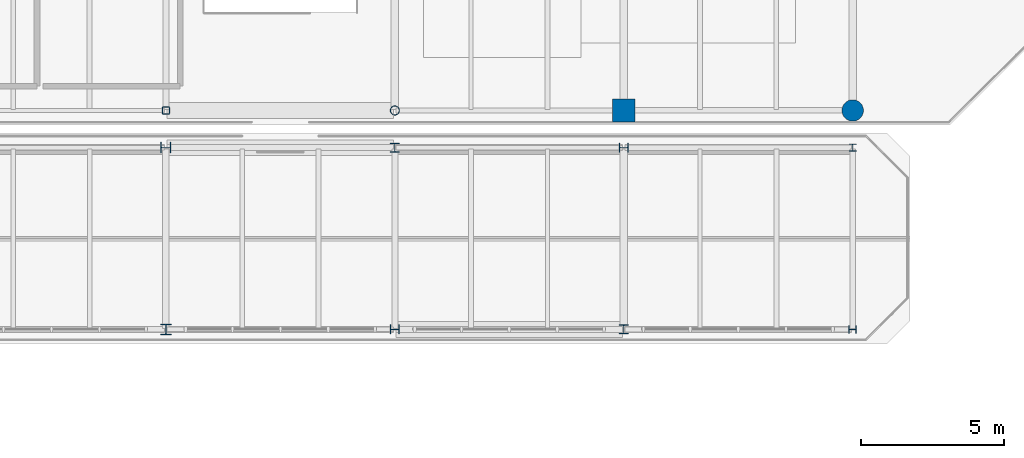
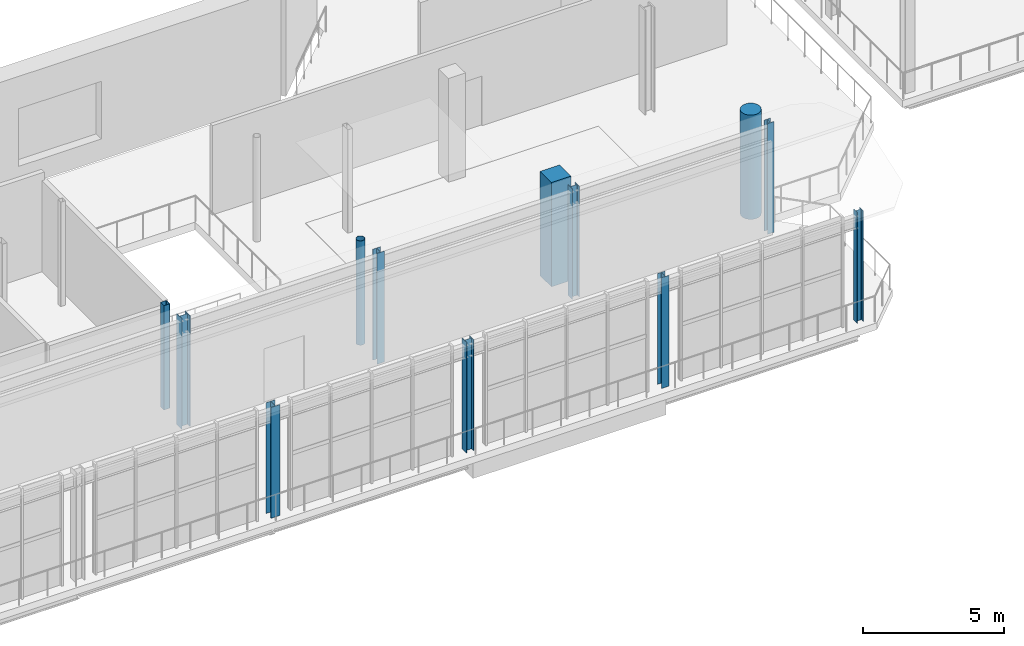
# One storey, part 10 of 93: 12 columns.
"""IFC4 building model written with IfcOpenShell, lengths in metres."""

from ifc_helpers import new_model, si_unit, direction, frame, origin, origin_2d, place, context, subcontext, project, spatial, rectangle, hollow_rectangle, circle, hollow_circle, i_section, extrude, material, material_profile, profile_set, type_object, element, save


model = new_model("IFC4")

# Units and contexts
model_context = context("Model", 3, precision=1e-05, world=origin(), true_north=direction((0.0, 1.0)))
body_context = subcontext(model_context, "Body", "Model", "MODEL_VIEW")
ifc_project = project(units=[si_unit("LENGTHUNIT", "METRE"), si_unit("AREAUNIT", "SQUARE_METRE"), si_unit("VOLUMEUNIT", "CUBIC_METRE"), si_unit("PLANEANGLEUNIT", "RADIAN"), si_unit("MASSUNIT", "GRAM", prefix="KILO")], contexts=[model_context])

# Site, building, storey
site_placement = place(None, origin())
site = spatial("IfcSite", under=ifc_project, at=site_placement, CompositionType="ELEMENT")
building_placement = place(site_placement, origin())
building = spatial("IfcBuilding", under=site, at=building_placement, Name="Brisemont Oceanarium", CompositionType="ELEMENT")
storey_placement = place(building_placement, frame((0.0, 0.0, 5.39990234375)))
storey = spatial("IfcBuildingStorey", under=building, at=storey_placement, Name="L01", CompositionType="ELEMENT", Elevation=5.39990234375)

# Columns
ifc_material_1 = material(Name="Structural Steel ASTM A500 Gr.C", Category="steel")
ifc_material_profile_1 = material_profile(ifc_material_1, hollow_circle(Radius=0.162109375, WallThickness=0.01171875, at=origin_2d()), Name="HSS12.750X0.500")
ifc_profile_set_1 = profile_set([ifc_material_profile_1], Name="Structural Steel ASTM A500 Gr.C")
column_type_1 = type_object("IfcColumnType", Name="COL-CHS12", PredefinedType="COLUMN", material=ifc_profile_set_1)
column_1_placement = place(storey_placement, frame((88.0, 32.64990234375, 0.0), z_axis=(0.0, 0.0, 1.0), x_axis=(1.0, 0.0, 0.0)))
element("IfcColumn", 1, at=column_1_placement, inside=storey, type_object=column_type_1, Name="V1 L01 column (4,0)", PredefinedType="COLUMN", context=body_context, shape_type="SweptSolid", body=[
    extrude(hollow_circle(Radius=0.162109375, WallThickness=0.01171875, at=origin_2d()), origin(), (0.0, 0.0, 1.0), 4.52001953125),
])
ifc_material_2 = material(Name="Structural Steel ASTM A500 Gr.C", Category="steel")
ifc_material_profile_2 = material_profile(ifc_material_2, hollow_rectangle(XDim=0.25390625, YDim=0.25390625, WallThickness=0.01171875, InnerFilletRadius=0.01220703125, OuterFilletRadius=0.02392578125, at=origin_2d()), Name="HSS10X10X1/2")
ifc_profile_set_2 = profile_set([ifc_material_profile_2], Name="Structural Steel ASTM A500 Gr.C")
column_type_2 = type_object("IfcColumnType", Name="COL-HSS10X10", PredefinedType="COLUMN", material=ifc_profile_set_2)
column_2_placement = place(storey_placement, frame((80.0, 32.64990234375, 0.0), z_axis=(0.0, 0.0, 1.0), x_axis=(0.0, 1.0, 0.0)))
element("IfcColumn", 2, at=column_2_placement, inside=storey, type_object=column_type_2, Name="V1 L01 column (3,0)", PredefinedType="COLUMN", context=body_context, shape_type="SweptSolid", body=[
    extrude(hollow_rectangle(XDim=0.25390625, YDim=0.25390625, WallThickness=0.01171875, InnerFilletRadius=0.01220703125, OuterFilletRadius=0.02392578125, at=origin_2d()), origin(), (0.0, 0.0, 1.0), 4.52001953125),
])
ifc_material_3 = material(Name="Concrete C40/50", Category="concrete")
ifc_material_profile_3 = material_profile(ifc_material_3, rectangle(XDim=0.800048828125, YDim=0.800048828125, at=origin_2d()), Name="RC-COL-800X800")
ifc_profile_set_3 = profile_set([ifc_material_profile_3], Name="Concrete C40/50")
column_type_3 = type_object("IfcColumnType", Name="COL-RC800", PredefinedType="COLUMN", material=ifc_profile_set_3)
column_3_placement = place(storey_placement, frame((96.0, 32.64990234375, 0.0), z_axis=(0.0, 0.0, 1.0), x_axis=(0.0, 1.0, 0.0)))
element("IfcColumn", 3, at=column_3_placement, inside=storey, type_object=column_type_3, Name="V1 L01 column (5,0)", PredefinedType="COLUMN", context=body_context, shape_type="SweptSolid", body=[
    extrude(rectangle(XDim=0.800048828125, YDim=0.800048828125, at=origin_2d()), origin(), (0.0, 0.0, 1.0), 4.52001953125),
])
ifc_material_4 = material(Name="Concrete C40/50", Category="concrete")
ifc_material_profile_4 = material_profile(ifc_material_4, circle(Radius=0.375, at=origin_2d()), Name="RC-COL-D750")
ifc_profile_set_4 = profile_set([ifc_material_profile_4], Name="Concrete C40/50")
column_type_4 = type_object("IfcColumnType", Name="COL-RCD750", PredefinedType="COLUMN", material=ifc_profile_set_4)
column_4_placement = place(storey_placement, frame((104.0, 32.64990234375, 0.0), z_axis=(0.0, 0.0, 1.0), x_axis=(1.0, 0.0, 0.0)))
element("IfcColumn", 4, at=column_4_placement, inside=storey, type_object=column_type_4, Name="V1 L01 column (6,0)", PredefinedType="COLUMN", context=body_context, shape_type="SweptSolid", body=[
    extrude(circle(Radius=0.375, at=origin_2d()), origin(), (0.0, 0.0, 1.0), 4.52001953125),
])
ifc_material_5 = material(Name="Structural Steel ASTM A992 Gr.50", Category="steel")
ifc_material_profile_5 = material_profile(ifc_material_5, i_section(OverallWidth=0.25390625, OverallDepth=0.25390625, WebThickness=0.008544921875, FlangeThickness=0.01416015625, FilletRadius=0.010986328125, at=origin_2d()), Name="W10X49")
ifc_profile_set_5 = profile_set([ifc_material_profile_5], Name="Structural Steel ASTM A992 Gr.50")
column_type_5 = type_object("IfcColumnType", Name="COL-W10X49", PredefinedType="COLUMN", material=ifc_profile_set_5)
column_5_placement = place(storey_placement, frame((104.0, 31.35009765625, 0.0), z_axis=(0.0, 0.0, 1.0), x_axis=(1.0, 0.0, 0.0)))
element("IfcColumn", 5, at=column_5_placement, inside=storey, type_object=column_type_5, Name="V1P L01 column (5,1)", PredefinedType="COLUMN", context=body_context, shape_type="SweptSolid", body=[
    extrude(i_section(OverallWidth=0.25390625, OverallDepth=0.25390625, WebThickness=0.008544921875, FlangeThickness=0.01416015625, FilletRadius=0.010986328125, at=origin_2d()), origin(), (0.0, 0.0, 1.0), 4.800048828125),
])
ifc_material_6 = material(Name="Structural Steel ASTM A992 Gr.50", Category="steel")
ifc_material_profile_6 = material_profile(ifc_material_6, i_section(OverallWidth=0.256103515625, OverallDepth=0.260009765625, WebThickness=0.0107421875, FlangeThickness=0.017333984375, FilletRadius=0.010986328125, at=origin_2d()), Name="W10X60")
ifc_profile_set_6 = profile_set([ifc_material_profile_6], Name="Structural Steel ASTM A992 Gr.50")
column_type_6 = type_object("IfcColumnType", Name="COL-W10X60", PredefinedType="COLUMN", material=ifc_profile_set_6)
column_6_placement = place(storey_placement, frame((104.0, 25.0, 0.0), z_axis=(0.0, 0.0, 1.0), x_axis=(0.0, 1.0, 0.0)))
element("IfcColumn", 6, at=column_6_placement, inside=storey, type_object=column_type_6, Name="V1P L01 column (5,0)", PredefinedType="COLUMN", context=body_context, shape_type="SweptSolid", body=[
    extrude(i_section(OverallWidth=0.256103515625, OverallDepth=0.260009765625, WebThickness=0.0107421875, FlangeThickness=0.017333984375, FilletRadius=0.010986328125, at=origin_2d()), origin(), (0.0, 0.0, 1.0), 4.800048828125),
])
ifc_material_7 = material(Name="Structural Steel ASTM A992 Gr.50", Category="steel")
ifc_material_profile_7 = material_profile(ifc_material_7, i_section(OverallWidth=0.304931640625, OverallDepth=0.306884765625, WebThickness=0.010009765625, FlangeThickness=0.015380859375, FilletRadius=0.012939453125, at=origin_2d()), Name="W12X65")
ifc_profile_set_7 = profile_set([ifc_material_profile_7], Name="Structural Steel ASTM A992 Gr.50")
column_type_7 = type_object("IfcColumnType", Name="COL-W12X65", PredefinedType="COLUMN", material=ifc_profile_set_7)
column_7_placement = place(storey_placement, frame((96.0, 31.35009765625, 0.0), z_axis=(0.0, 0.0, 1.0), x_axis=(0.0, 1.0, 0.0)))
element("IfcColumn", 7, at=column_7_placement, inside=storey, type_object=column_type_7, Name="V1P L01 column (4,1)", PredefinedType="COLUMN", context=body_context, shape_type="SweptSolid", body=[
    extrude(i_section(OverallWidth=0.304931640625, OverallDepth=0.306884765625, WebThickness=0.010009765625, FlangeThickness=0.015380859375, FilletRadius=0.012939453125, at=origin_2d()), origin(), (0.0, 0.0, 1.0), 4.800048828125),
])
ifc_material_8 = material(Name="Structural Steel ASTM A992 Gr.50", Category="steel")
ifc_material_profile_8 = material_profile(ifc_material_8, i_section(OverallWidth=0.305908203125, OverallDepth=0.31103515625, WebThickness=0.010986328125, FlangeThickness=0.01708984375, FilletRadius=0.012939453125, at=origin_2d()), Name="W12X72")
ifc_profile_set_8 = profile_set([ifc_material_profile_8], Name="Structural Steel ASTM A992 Gr.50")
column_type_8 = type_object("IfcColumnType", Name="COL-W12X72", PredefinedType="COLUMN", material=ifc_profile_set_8)
column_8_placement = place(storey_placement, frame((96.0, 25.0, 0.0), z_axis=(0.0, 0.0, 1.0), x_axis=(1.0, 0.0, 0.0)))
element("IfcColumn", 8, at=column_8_placement, inside=storey, type_object=column_type_8, Name="V1P L01 column (4,0)", PredefinedType="COLUMN", context=body_context, shape_type="SweptSolid", body=[
    extrude(i_section(OverallWidth=0.305908203125, OverallDepth=0.31103515625, WebThickness=0.010986328125, FlangeThickness=0.01708984375, FilletRadius=0.012939453125, at=origin_2d()), origin(), (0.0, 0.0, 1.0), 4.800048828125),
])
ifc_material_9 = material(Name="Structural Steel ASTM A992 Gr.50", Category="steel")
ifc_material_profile_9 = material_profile(ifc_material_9, i_section(OverallWidth=0.306884765625, OverallDepth=0.31494140625, WebThickness=0.011962890625, FlangeThickness=0.018798828125, FilletRadius=0.012939453125, at=origin_2d()), Name="W12X79")
ifc_profile_set_9 = profile_set([ifc_material_profile_9], Name="Structural Steel ASTM A992 Gr.50")
column_type_9 = type_object("IfcColumnType", Name="COL-W12X79", PredefinedType="COLUMN", material=ifc_profile_set_9)
column_9_placement = place(storey_placement, frame((88.0, 31.35009765625, 0.0), z_axis=(0.0, 0.0, 1.0), x_axis=(1.0, 0.0, 0.0)))
element("IfcColumn", 9, at=column_9_placement, inside=storey, type_object=column_type_9, Name="V1P L01 column (3,1)", PredefinedType="COLUMN", context=body_context, shape_type="SweptSolid", body=[
    extrude(i_section(OverallWidth=0.306884765625, OverallDepth=0.31494140625, WebThickness=0.011962890625, FlangeThickness=0.018798828125, FilletRadius=0.012939453125, at=origin_2d()), origin(), (0.0, 0.0, 1.0), 4.800048828125),
])
ifc_material_10 = material(Name="Structural Steel ASTM A992 Gr.50", Category="steel")
ifc_material_profile_10 = material_profile(ifc_material_10, i_section(OverallWidth=0.30810546875, OverallDepth=0.318115234375, WebThickness=0.01318359375, FlangeThickness=0.0205078125, FilletRadius=0.012939453125, at=origin_2d()), Name="W12X87")
ifc_profile_set_10 = profile_set([ifc_material_profile_10], Name="Structural Steel ASTM A992 Gr.50")
column_type_10 = type_object("IfcColumnType", Name="COL-W12X87", PredefinedType="COLUMN", material=ifc_profile_set_10)
column_10_placement = place(storey_placement, frame((88.0, 25.0, 0.0), z_axis=(0.0, 0.0, 1.0), x_axis=(0.0, 1.0, 0.0)))
element("IfcColumn", 10, at=column_10_placement, inside=storey, type_object=column_type_10, Name="V1P L01 column (3,0)", PredefinedType="COLUMN", context=body_context, shape_type="SweptSolid", body=[
    extrude(i_section(OverallWidth=0.30810546875, OverallDepth=0.318115234375, WebThickness=0.01318359375, FlangeThickness=0.0205078125, FilletRadius=0.012939453125, at=origin_2d()), origin(), (0.0, 0.0, 1.0), 4.800048828125),
])
ifc_material_11 = material(Name="Structural Steel ASTM A992 Gr.50", Category="steel")
ifc_material_profile_11 = material_profile(ifc_material_11, i_section(OverallWidth=0.367919921875, OverallDepth=0.35595703125, WebThickness=0.01123046875, FlangeThickness=0.01806640625, FilletRadius=0.014892578125, at=origin_2d()), Name="W14X90")
ifc_profile_set_11 = profile_set([ifc_material_profile_11], Name="Structural Steel ASTM A992 Gr.50")
column_type_11 = type_object("IfcColumnType", Name="COL-W14X90", PredefinedType="COLUMN", material=ifc_profile_set_11)
column_11_placement = place(storey_placement, frame((80.0, 31.35009765625, 0.0), z_axis=(0.0, 0.0, 1.0), x_axis=(0.0, 1.0, 0.0)))
element("IfcColumn", 11, at=column_11_placement, inside=storey, type_object=column_type_11, Name="V1P L01 column (2,1)", PredefinedType="COLUMN", context=body_context, shape_type="SweptSolid", body=[
    extrude(i_section(OverallWidth=0.367919921875, OverallDepth=0.35595703125, WebThickness=0.01123046875, FlangeThickness=0.01806640625, FilletRadius=0.014892578125, at=origin_2d()), origin(), (0.0, 0.0, 1.0), 4.800048828125),
])
ifc_material_12 = material(Name="Structural Steel ASTM A992 Gr.50", Category="steel")
ifc_material_profile_12 = material_profile(ifc_material_12, i_section(OverallWidth=0.37109375, OverallDepth=0.361083984375, WebThickness=0.01220703125, FlangeThickness=0.019775390625, FilletRadius=0.014892578125, at=origin_2d()), Name="W14X99")
ifc_profile_set_12 = profile_set([ifc_material_profile_12], Name="Structural Steel ASTM A992 Gr.50")
column_type_12 = type_object("IfcColumnType", Name="COL-W14X99", PredefinedType="COLUMN", material=ifc_profile_set_12)
column_12_placement = place(storey_placement, frame((80.0, 25.0, 0.0), z_axis=(0.0, 0.0, 1.0), x_axis=(1.0, 0.0, 0.0)))
element("IfcColumn", 12, at=column_12_placement, inside=storey, type_object=column_type_12, Name="V1P L01 column (2,0)", PredefinedType="COLUMN", context=body_context, shape_type="SweptSolid", body=[
    extrude(i_section(OverallWidth=0.37109375, OverallDepth=0.361083984375, WebThickness=0.01220703125, FlangeThickness=0.019775390625, FilletRadius=0.014892578125, at=origin_2d()), origin(), (0.0, 0.0, 1.0), 4.800048828125),
])

save(model, "model.ifc")
